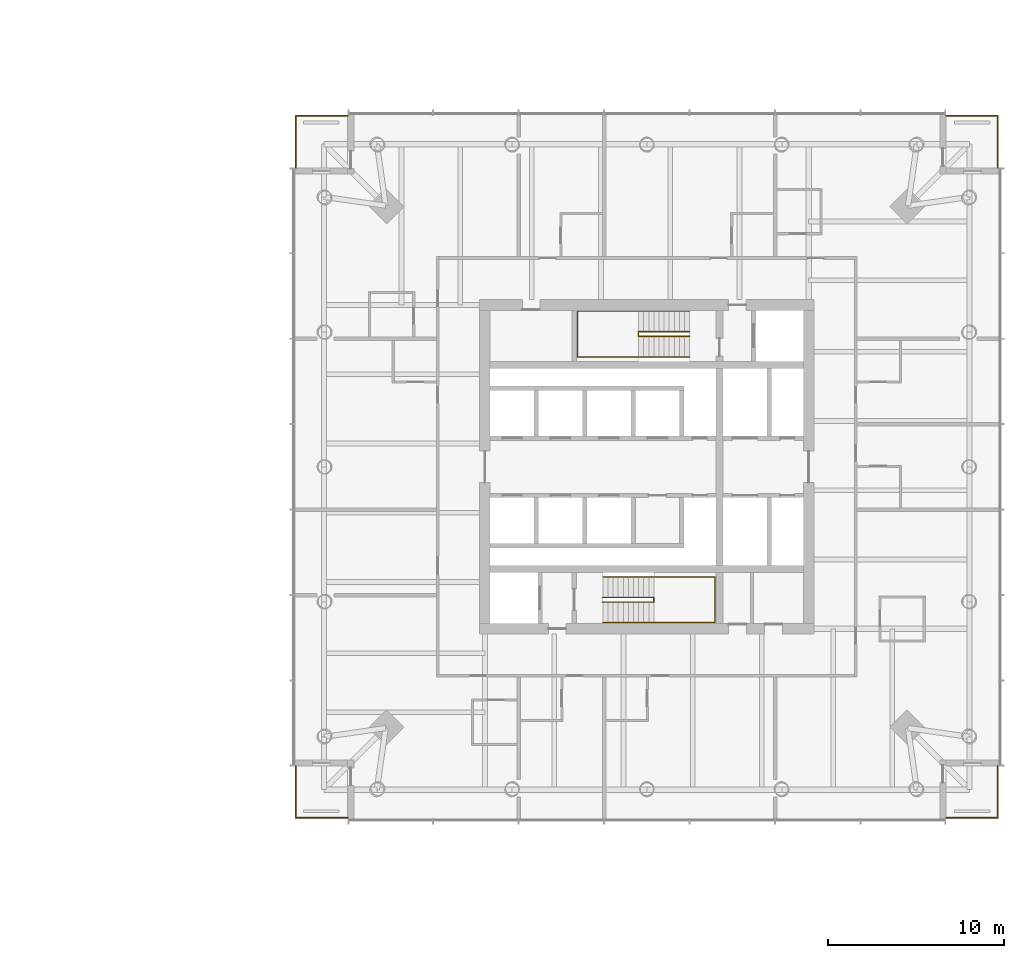
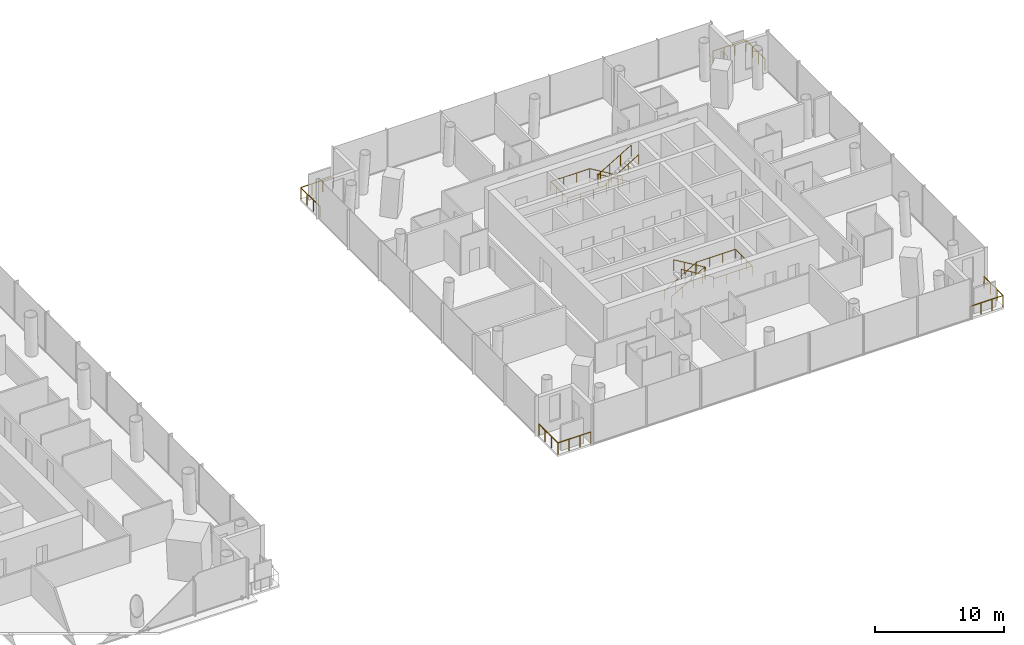
# One storey, part 26 of 26: 8 railings.
"""IFC4 building model written with IfcOpenShell, lengths in metres."""

import ifcopenshell
import ifcopenshell.guid

model = None  # the IFC model being written
_history = None  # IfcOwnerHistory: only IFC2X3 demands one
_inside = {}  # id of a spatial element -> (the spatial element, [elements in it])
_under = {}  # id of a project, library or spatial element -> (it, [spatial elements below it])
_declared = {}  # id of a project -> (the project, [libraries it declares])
_typed = {}  # id of a type object -> (the type object, [elements of that type])
_made_of = {}  # id of a material, layer set ... -> (it, [elements and type objects made of it])


def new_model(schema):
    """Start an empty IFC model of exactly this schema.

    Asked for "IFC4X3", IfcOpenShell would pick the latest addendum, in which some entities
    have other attributes; the version numbers below select the first issue.
    IFC2X3 requires an IfcOwnerHistory on every rooted entity: one is made here for all.
    """
    global model, _history
    if schema == "IFC4X3":
        model = ifcopenshell.file(schema_version=(4, 3, 0, 0))
    else:
        model = ifcopenshell.file(schema=schema)
    _inside.clear()
    _under.clear()
    _declared.clear()
    _typed.clear()
    _made_of.clear()
    _history = None
    if model.schema == "IFC2X3":
        org = make("IfcOrganization", Name="unknown")
        user = make(
            "IfcPersonAndOrganization",
            ThePerson=make("IfcPerson", FamilyName="unknown"),
            TheOrganization=org,
        )
        app = make(
            "IfcApplication",
            ApplicationDeveloper=org,
            Version="unknown",
            ApplicationFullName="unknown",
            ApplicationIdentifier="unknown",
        )
        _history = make(
            "IfcOwnerHistory",
            OwningUser=user,
            OwningApplication=app,
            ChangeAction="ADDED",
            CreationDate=0,
        )
    return model


def make(cls, **values):
    """One entity of the class cls with the attributes given. An attribute that is None is left unset."""
    return model.create_entity(
        cls, **{name: value for name, value in values.items() if value is not None}
    )


def rooted(cls, **values):
    """An entity with a GlobalId (a new one), such as an element, a storey or a relation."""
    return make(cls, GlobalId=ifcopenshell.guid.new(), OwnerHistory=_history, **values)


def si_unit(unit_type, name, prefix=None):
    """IfcSIUnit, for example si_unit("LENGTHUNIT", "METRE", prefix="MILLI")."""
    return make("IfcSIUnit", UnitType=unit_type, Prefix=prefix, Name=name)


def assignment(units):
    """IfcUnitAssignment: the units of a project."""
    return None if units is None else make("IfcUnitAssignment", Units=units)


def point(xyz):
    """IfcCartesianPoint."""
    return None if xyz is None else make("IfcCartesianPoint", Coordinates=xyz)


def direction(xyz):
    """IfcDirection."""
    return None if xyz is None else make("IfcDirection", DirectionRatios=xyz)


def frame(location, z_axis=None, x_axis=None):
    """IfcAxis2Placement3D, a coordinate frame: its origin and axes. An axis left out is left unset."""
    return make(
        "IfcAxis2Placement3D",
        Location=point(location),
        Axis=direction(z_axis),
        RefDirection=direction(x_axis),
    )


def frame_2d(location, x_axis=None):
    """IfcAxis2Placement2D, a coordinate frame in the plane: its origin and x axis."""
    return make(
        "IfcAxis2Placement2D", Location=point(location), RefDirection=direction(x_axis)
    )


def origin():
    """The frame at (0, 0, 0) with its axes left unset."""
    return frame((0.0, 0.0, 0.0))


def origin_2d():
    """The frame at (0, 0) in the plane with its x axis left unset."""
    return frame_2d((0.0, 0.0))


def place(relative_to, where):
    """IfcLocalPlacement: puts the frame where relative to a parent placement (None: the world)."""
    return make(
        "IfcLocalPlacement", PlacementRelTo=relative_to, RelativePlacement=where
    )


def context(
    kind, dimensions, precision=None, world=None, true_north=None, identifier=None
):
    """IfcGeometricRepresentationContext, for example the 3D "Model" context."""
    return make(
        "IfcGeometricRepresentationContext",
        ContextIdentifier=identifier,
        ContextType=kind,
        CoordinateSpaceDimension=dimensions,
        Precision=precision,
        WorldCoordinateSystem=world,
        TrueNorth=true_north,
    )


def subcontext(parent, identifier, kind, view, scale=None):
    """IfcGeometricRepresentationSubContext, for example "Body" below "Model"."""
    return make(
        "IfcGeometricRepresentationSubContext",
        ContextIdentifier=identifier,
        ContextType=kind,
        ParentContext=parent,
        TargetScale=scale,
        TargetView=view,
    )


def project(units=None, contexts=None):
    """IfcProject with its units and contexts."""
    return rooted(
        "IfcProject",
        Name="project",
        RepresentationContexts=contexts,
        UnitsInContext=assignment(units),
    )


def spatial(cls, under=None, at=None, **own):
    """A site, building, storey or space (cls), placed at a placement, below another one or the project."""
    s = rooted(cls, ObjectPlacement=at, **own)
    if under is not None:
        _under.setdefault(under.id(), (under, []))[1].append(s)
    return s


def profile(cls, at=None, kind="AREA", **sizes):
    """A parametric profile (cls). Its sizes go by their IFC names, for example OverallWidth=200.0."""
    return make(cls, ProfileType=kind, Position=at, **sizes)


def circle(**sizes):
    """IfcCircleProfileDef."""
    return profile("IfcCircleProfileDef", **sizes)


def extrude(swept, where, along, depth):
    """IfcExtrudedAreaSolid: the profile swept, set in the frame where, extruded along a direction by depth."""
    return make(
        "IfcExtrudedAreaSolid",
        SweptArea=swept,
        Position=where,
        ExtrudedDirection=direction(along),
        Depth=depth,
    )


def shape(context_of_items, identifier, shape_type, items):
    """IfcShapeRepresentation: the items that make up one representation, for example the "Body"."""
    return make(
        "IfcShapeRepresentation",
        ContextOfItems=context_of_items,
        RepresentationIdentifier=identifier,
        RepresentationType=shape_type,
        Items=items,
    )


def material(Name=None, Category=None):
    """IfcMaterial."""
    return make("IfcMaterial", Name=Name, Category=Category)


def made_of(thing, what):
    """Note that an element or type object is made of a material, layer set ...; save() writes the relation."""
    if what is not None:
        _made_of.setdefault(what.id(), (what, []))[1].append(thing)
    return thing


def type_object(cls, material=None, **own):
    """A type object (cls), such as IfcWallType, which elements share."""
    return made_of(rooted(cls, **own), material)


def element(
    cls,
    number,
    at=None,
    inside=None,
    cuts=None,
    type_object=None,
    material=None,
    context=None,
    identifier="Body",
    shape_type=None,
    held_by="IfcProductDefinitionShape",
    body=None,
    shapes=None,
    **own,
):
    """One element of the class cls, such as IfcWall. Its Tag is "e" and its number.

    at: its placement. inside: the storey or other place that contains it. cuts: it is an
    opening in that element (IfcRelVoidsElement). A single representation is given by context,
    identifier, shape_type and body (its items); several are given by shapes. held_by: the class
    of the entity that holds the representations. save() writes the other relations.
    """
    e = rooted(cls, Tag="e%d" % number, ObjectPlacement=at, **own)
    if body is not None:
        shapes = [shape(context, identifier, shape_type, body)]
    if shapes is not None:
        e.Representation = make(held_by, Representations=shapes)
    if inside is not None:
        _inside.setdefault(inside.id(), (inside, []))[1].append(e)
    if cuts is not None:
        rooted(
            "IfcRelVoidsElement", RelatingBuildingElement=cuts, RelatedOpeningElement=e
        )
    if type_object is not None:
        _typed.setdefault(type_object.id(), (type_object, []))[1].append(e)
    return made_of(e, material)


def aggregate(whole, parts):
    """IfcRelAggregates: a whole, such as a stair, and the parts it consists of."""
    return rooted("IfcRelAggregates", RelatingObject=whole, RelatedObjects=parts)


def save(model, path):
    """Write the relations noted so far, then the file.

    IfcRelAggregates (storeys below a building ...), IfcRelContainedInSpatialStructure (elements
    in a storey), IfcRelDefinesByType, IfcRelAssociatesMaterial and IfcRelDeclares: one each for
    every whole, place, type object, material and project.
    """
    for whole, parts in _under.values():
        aggregate(whole, parts)
    for where, things in _inside.values():
        rooted(
            "IfcRelContainedInSpatialStructure",
            RelatedElements=things,
            RelatingStructure=where,
        )
    for kind, things in _typed.values():
        rooted("IfcRelDefinesByType", RelatedObjects=things, RelatingType=kind)
    for what, things in _made_of.values():
        rooted("IfcRelAssociatesMaterial", RelatedObjects=things, RelatingMaterial=what)
    for by, libraries in _declared.values():
        rooted("IfcRelDeclares", RelatingContext=by, RelatedDefinitions=libraries)
    model.write(path)


model = new_model("IFC4")

# Units and contexts
model_context = context("Model", 3, precision=1e-05, world=origin(), true_north=direction((0.0, 1.0)))
body_context = subcontext(model_context, "Body", "Model", "MODEL_VIEW")
ifc_project = project(units=[si_unit("LENGTHUNIT", "METRE"), si_unit("AREAUNIT", "SQUARE_METRE"), si_unit("VOLUMEUNIT", "CUBIC_METRE"), si_unit("PLANEANGLEUNIT", "RADIAN"), si_unit("MASSUNIT", "GRAM", prefix="KILO")], contexts=[model_context])

# Site, building, storey
site_placement = place(None, origin())
site = spatial("IfcSite", under=ifc_project, at=site_placement, CompositionType="ELEMENT")
building_placement = place(site_placement, origin())
building = spatial("IfcBuilding", under=site, at=building_placement, Name="Ostroluk Exchange", CompositionType="ELEMENT")
storey_placement = place(building_placement, frame((0.0, 0.0, 36.199951171875)))
storey = spatial("IfcBuildingStorey", under=building, at=storey_placement, Name="L08", CompositionType="ELEMENT", Elevation=36.199951171875)

# Railings
ifc_material_1 = material(Name="Stainless steel", Category="steel")
railing_type_1 = type_object("IfcRailingType", Name="Guard 1100 stainless steel", PredefinedType="GUARDRAIL", material=ifc_material_1)
railing_1_placement = place(storey_placement, frame((134.0, 26.050048828125, 0.0)))
element("IfcRailing", 1, at=railing_1_placement, inside=storey, type_object=railing_type_1, Name="Hotel tower SE balcony guard L08", PredefinedType="GUARDRAIL", context=body_context, shape_type="SweptSolid", body=[
    extrude(circle(Radius=0.02392578125, at=origin_2d()), frame((0.0, 0.0, 1.076171875), z_axis=(1.0, 0.0, 0.0), x_axis=(0.0, 1.0, 0.0)), (0.0, 0.0, 1.0), 2.949951171875),
    extrude(circle(Radius=0.02392578125, at=origin_2d()), frame((2.949951171875, 0.0, 1.076171875), z_axis=(0.0, 1.0, 0.0), x_axis=(-1.0, 0.0, 0.0)), (0.0, 0.0, 1.0), 2.949951171875),
    extrude(circle(Radius=0.02099609375, at=origin_2d()), origin(), (0.0, 0.0, 1.0), 1.052001953125),
    extrude(circle(Radius=0.02099609375, at=origin_2d()), frame((0.9833984375, 0.0, 0.0)), (0.0, 0.0, 1.0), 1.052001953125),
    extrude(circle(Radius=0.02099609375, at=origin_2d()), frame((1.966552734375, 0.0, 0.0)), (0.0, 0.0, 1.0), 1.052001953125),
    extrude(circle(Radius=0.02099609375, at=origin_2d()), frame((2.949951171875, 0.0, 0.0)), (0.0, 0.0, 1.0), 1.052001953125),
    extrude(circle(Radius=0.02099609375, at=origin_2d()), frame((2.949951171875, 0.9833984375, 0.0)), (0.0, 0.0, 1.0), 1.052001953125),
    extrude(circle(Radius=0.02099609375, at=origin_2d()), frame((2.949951171875, 1.966552734375, 0.0)), (0.0, 0.0, 1.0), 1.052001953125),
    extrude(circle(Radius=0.02099609375, at=origin_2d()), frame((2.949951171875, 2.949951171875, 0.0)), (0.0, 0.0, 1.0), 1.052001953125),
])
railing_2_placement = place(storey_placement, frame((134.0, 65.949951171875, 0.0)))
element("IfcRailing", 2, at=railing_2_placement, inside=storey, type_object=railing_type_1, Name="Hotel tower NE balcony guard L08", PredefinedType="GUARDRAIL", context=body_context, shape_type="SweptSolid", body=[
    extrude(circle(Radius=0.02392578125, at=origin_2d()), frame((0.0, 0.0, 1.076171875), z_axis=(1.0, 0.0, 0.0), x_axis=(0.0, 1.0, 0.0)), (0.0, 0.0, 1.0), 2.949951171875),
    extrude(circle(Radius=0.02392578125, at=origin_2d()), frame((2.949951171875, 0.0, 1.076171875), z_axis=(0.0, -1.0, 0.0), x_axis=(1.0, 0.0, 0.0)), (0.0, 0.0, 1.0), 2.949951171875),
    extrude(circle(Radius=0.02099609375, at=origin_2d()), origin(), (0.0, 0.0, 1.0), 1.052001953125),
    extrude(circle(Radius=0.02099609375, at=origin_2d()), frame((0.9833984375, 0.0, 0.0)), (0.0, 0.0, 1.0), 1.052001953125),
    extrude(circle(Radius=0.02099609375, at=origin_2d()), frame((1.966552734375, 0.0, 0.0)), (0.0, 0.0, 1.0), 1.052001953125),
    extrude(circle(Radius=0.02099609375, at=origin_2d()), frame((2.949951171875, 0.0, 0.0)), (0.0, 0.0, 1.0), 1.052001953125),
    extrude(circle(Radius=0.02099609375, at=origin_2d()), frame((2.949951171875, -0.9833984375, 0.0)), (0.0, 0.0, 1.0), 1.052001953125),
    extrude(circle(Radius=0.02099609375, at=origin_2d()), frame((2.949951171875, -1.966552734375, 0.0)), (0.0, 0.0, 1.0), 1.052001953125),
    extrude(circle(Radius=0.02099609375, at=origin_2d()), frame((2.949951171875, -2.949951171875, 0.0)), (0.0, 0.0, 1.0), 1.052001953125),
])
railing_3_placement = place(storey_placement, frame((100.0, 65.949951171875, 0.0)))
element("IfcRailing", 3, at=railing_3_placement, inside=storey, type_object=railing_type_1, Name="Hotel tower NW balcony guard L08", PredefinedType="GUARDRAIL", context=body_context, shape_type="SweptSolid", body=[
    extrude(circle(Radius=0.02392578125, at=origin_2d()), frame((0.0, 0.0, 1.076171875), z_axis=(-1.0, 0.0, 0.0), x_axis=(0.0, -1.0, 0.0)), (0.0, 0.0, 1.0), 2.949951171875),
    extrude(circle(Radius=0.02392578125, at=origin_2d()), frame((-2.949951171875, 0.0, 1.076171875), z_axis=(0.0, -1.0, 0.0), x_axis=(1.0, 0.0, 0.0)), (0.0, 0.0, 1.0), 2.949951171875),
    extrude(circle(Radius=0.02099609375, at=origin_2d()), origin(), (0.0, 0.0, 1.0), 1.052001953125),
    extrude(circle(Radius=0.02099609375, at=origin_2d()), frame((-0.9833984375, 0.0, 0.0)), (0.0, 0.0, 1.0), 1.052001953125),
    extrude(circle(Radius=0.02099609375, at=origin_2d()), frame((-1.966552734375, 0.0, 0.0)), (0.0, 0.0, 1.0), 1.052001953125),
    extrude(circle(Radius=0.02099609375, at=origin_2d()), frame((-2.949951171875, 0.0, 0.0)), (0.0, 0.0, 1.0), 1.052001953125),
    extrude(circle(Radius=0.02099609375, at=origin_2d()), frame((-2.949951171875, -0.9833984375, 0.0)), (0.0, 0.0, 1.0), 1.052001953125),
    extrude(circle(Radius=0.02099609375, at=origin_2d()), frame((-2.949951171875, -1.966552734375, 0.0)), (0.0, 0.0, 1.0), 1.052001953125),
    extrude(circle(Radius=0.02099609375, at=origin_2d()), frame((-2.949951171875, -2.949951171875, 0.0)), (0.0, 0.0, 1.0), 1.052001953125),
])
railing_4_placement = place(storey_placement, frame((100.0, 26.050048828125, 0.0)))
element("IfcRailing", 4, at=railing_4_placement, inside=storey, type_object=railing_type_1, Name="Hotel tower SW balcony guard L08", PredefinedType="GUARDRAIL", context=body_context, shape_type="SweptSolid", body=[
    extrude(circle(Radius=0.02392578125, at=origin_2d()), frame((0.0, 0.0, 1.076171875), z_axis=(-1.0, 0.0, 0.0), x_axis=(0.0, -1.0, 0.0)), (0.0, 0.0, 1.0), 2.949951171875),
    extrude(circle(Radius=0.02392578125, at=origin_2d()), frame((-2.949951171875, 0.0, 1.076171875), z_axis=(0.0, 1.0, 0.0), x_axis=(-1.0, 0.0, 0.0)), (0.0, 0.0, 1.0), 2.949951171875),
    extrude(circle(Radius=0.02099609375, at=origin_2d()), origin(), (0.0, 0.0, 1.0), 1.052001953125),
    extrude(circle(Radius=0.02099609375, at=origin_2d()), frame((-0.9833984375, 0.0, 0.0)), (0.0, 0.0, 1.0), 1.052001953125),
    extrude(circle(Radius=0.02099609375, at=origin_2d()), frame((-1.966552734375, 0.0, 0.0)), (0.0, 0.0, 1.0), 1.052001953125),
    extrude(circle(Radius=0.02099609375, at=origin_2d()), frame((-2.949951171875, 0.0, 0.0)), (0.0, 0.0, 1.0), 1.052001953125),
    extrude(circle(Radius=0.02099609375, at=origin_2d()), frame((-2.949951171875, 0.9833984375, 0.0)), (0.0, 0.0, 1.0), 1.052001953125),
    extrude(circle(Radius=0.02099609375, at=origin_2d()), frame((-2.949951171875, 1.966552734375, 0.0)), (0.0, 0.0, 1.0), 1.052001953125),
    extrude(circle(Radius=0.02099609375, at=origin_2d()), frame((-2.949951171875, 2.949951171875, 0.0)), (0.0, 0.0, 1.0), 1.052001953125),
])
ifc_material_2 = material(Name="Steel S355", Category="steel")
railing_type_2 = type_object("IfcRailingType", Name="Stair guard 1100", PredefinedType="GUARDRAIL", material=ifc_material_2)
railing_5_placement = place(storey_placement, frame((114.5, 38.580078125, 0.1728515625)))
element("IfcRailing", 5, at=railing_5_placement, inside=storey, type_object=railing_type_2, Name="Stair T2-S1 guard L08", PredefinedType="GUARDRAIL", context=body_context, shape_type="SweptSolid", body=[
    extrude(circle(Radius=0.02392578125, at=origin_2d()), frame((0.0, 0.0, 1.076171875), z_axis=(0.859141464434, 0.0, 0.511738159696), x_axis=(0.0, 1.0, 0.0)), (0.0, 0.0, 1.0), 3.375244140625),
    extrude(circle(Radius=0.02392578125, at=origin_2d()), frame((2.89990234375, 0.0, 2.80322265625), z_axis=(0.0, -1.0, 0.0), x_axis=(1.0, 0.0, 0.0)), (0.0, 0.0, 1.0), 0.260009765625),
    extrude(circle(Radius=0.02392578125, at=origin_2d()), frame((2.89990234375, -0.260009765625, 2.80322265625), z_axis=(0.0, 0.0, 1.0), x_axis=(1.0, 0.0, 0.0)), (0.0, 0.0, 1.0), 0.172607421875),
    extrude(circle(Radius=0.02392578125, at=origin_2d()), frame((2.89990234375, -0.260009765625, 2.97607421875), z_axis=(-0.859141464434, 0.0, 0.511738159696), x_axis=(0.0, -1.0, 0.0)), (0.0, 0.0, 1.0), 3.375244140625),
    extrude(circle(Radius=0.02099609375, at=origin_2d()), origin(), (0.0, 0.0, 1.0), 1.052001953125),
    extrude(circle(Radius=0.02099609375, at=origin_2d()), frame((0.966552734375, 0.0, 0.57568359375)), (0.0, 0.0, 1.0), 1.052001953125),
    extrude(circle(Radius=0.02099609375, at=origin_2d()), frame((1.933349609375, 0.0, 1.151611328125)), (0.0, 0.0, 1.0), 1.052001953125),
    extrude(circle(Radius=0.02099609375, at=origin_2d()), frame((2.89990234375, 0.0, 1.727294921875)), (0.0, 0.0, 1.0), 1.052001953125),
    extrude(circle(Radius=0.02099609375, at=origin_2d()), frame((2.89990234375, -0.260009765625, 1.727294921875)), (0.0, 0.0, 1.0), 1.052001953125),
    extrude(circle(Radius=0.02099609375, at=origin_2d()), frame((2.89990234375, -0.260009765625, 1.89990234375)), (0.0, 0.0, 1.0), 1.052001953125),
    extrude(circle(Radius=0.02099609375, at=origin_2d()), frame((1.933349609375, -0.260009765625, 2.4755859375)), (0.0, 0.0, 1.0), 1.052001953125),
    extrude(circle(Radius=0.02099609375, at=origin_2d()), frame((0.966552734375, -0.260009765625, 3.051513671875)), (0.0, 0.0, 1.0), 1.052001953125),
    extrude(circle(Radius=0.02099609375, at=origin_2d()), frame((0.0, -0.260009765625, 3.627197265625)), (0.0, 0.0, 1.0), 1.052001953125),
])
railing_6_placement = place(storey_placement, frame((119.429931640625, 53.679931640625, 0.1728515625)))
element("IfcRailing", 6, at=railing_6_placement, inside=storey, type_object=railing_type_2, Name="Stair T2-S2 guard L08", PredefinedType="GUARDRAIL", context=body_context, shape_type="SweptSolid", body=[
    extrude(circle(Radius=0.02392578125, at=origin_2d()), frame((0.0, 0.0, 1.076171875), z_axis=(-0.859141464434, 0.0, 0.511738159696), x_axis=(0.0, -1.0, 0.0)), (0.0, 0.0, 1.0), 3.375244140625),
    extrude(circle(Radius=0.02392578125, at=origin_2d()), frame((-2.89990234375, 0.0, 2.80322265625), z_axis=(0.0, -1.0, 0.0), x_axis=(1.0, 0.0, 0.0)), (0.0, 0.0, 1.0), 0.260009765625),
    extrude(circle(Radius=0.02392578125, at=origin_2d()), frame((-2.89990234375, -0.260009765625, 2.80322265625), z_axis=(0.0, 0.0, 1.0), x_axis=(1.0, 0.0, 0.0)), (0.0, 0.0, 1.0), 0.172607421875),
    extrude(circle(Radius=0.02392578125, at=origin_2d()), frame((-2.89990234375, -0.260009765625, 2.97607421875), z_axis=(0.859141464434, 0.0, 0.511738159696), x_axis=(0.0, 1.0, 0.0)), (0.0, 0.0, 1.0), 3.375244140625),
    extrude(circle(Radius=0.02099609375, at=origin_2d()), origin(), (0.0, 0.0, 1.0), 1.052001953125),
    extrude(circle(Radius=0.02099609375, at=origin_2d()), frame((-0.966552734375, 0.0, 0.57568359375)), (0.0, 0.0, 1.0), 1.052001953125),
    extrude(circle(Radius=0.02099609375, at=origin_2d()), frame((-1.933349609375, 0.0, 1.151611328125)), (0.0, 0.0, 1.0), 1.052001953125),
    extrude(circle(Radius=0.02099609375, at=origin_2d()), frame((-2.89990234375, 0.0, 1.727294921875)), (0.0, 0.0, 1.0), 1.052001953125),
    extrude(circle(Radius=0.02099609375, at=origin_2d()), frame((-2.89990234375, -0.260009765625, 1.727294921875)), (0.0, 0.0, 1.0), 1.052001953125),
    extrude(circle(Radius=0.02099609375, at=origin_2d()), frame((-2.89990234375, -0.260009765625, 1.89990234375)), (0.0, 0.0, 1.0), 1.052001953125),
    extrude(circle(Radius=0.02099609375, at=origin_2d()), frame((-1.933349609375, -0.260009765625, 2.4755859375)), (0.0, 0.0, 1.0), 1.052001953125),
    extrude(circle(Radius=0.02099609375, at=origin_2d()), frame((-0.966552734375, -0.260009765625, 3.051513671875)), (0.0, 0.0, 1.0), 1.052001953125),
    extrude(circle(Radius=0.02099609375, at=origin_2d()), frame((0.0, -0.260009765625, 3.627197265625)), (0.0, 0.0, 1.0), 1.052001953125),
])
ifc_material_3 = material(Name="Stainless steel", Category="steel")
railing_type_3 = type_object("IfcRailingType", Name="Stair handrail 900", PredefinedType="HANDRAIL", material=ifc_material_3)
railing_7_placement = place(storey_placement, frame((114.5, 39.75, 0.1728515625)))
element("IfcRailing", 7, at=railing_7_placement, inside=storey, type_object=railing_type_3, Name="Stair T2-S1 handrail L08", PredefinedType="HANDRAIL", context=body_context, shape_type="SweptSolid", body=[
    extrude(circle(Radius=0.02392578125, at=origin_2d()), frame((0.0, 0.0, 0.8759765625), z_axis=(0.859141464434, 0.0, 0.511738159696), x_axis=(0.0, 1.0, 0.0)), (0.0, 0.0, 1.0), 3.375244140625),
    extrude(circle(Radius=0.02392578125, at=origin_2d()), frame((2.89990234375, 0.0, 2.60302734375), z_axis=(1.0, 0.0, 0.0), x_axis=(0.0, 1.0, 0.0)), (0.0, 0.0, 1.0), 3.47998046875),
    extrude(circle(Radius=0.02392578125, at=origin_2d()), frame((6.3798828125, 0.0, 2.60302734375), z_axis=(0.0, -1.0, 0.0), x_axis=(1.0, 0.0, 0.0)), (0.0, 0.0, 1.0), 2.60009765625),
    extrude(circle(Radius=0.02392578125, at=origin_2d()), frame((6.3798828125, -2.60009765625, 2.60302734375), z_axis=(-1.0, 0.0, 0.0), x_axis=(0.0, -1.0, 0.0)), (0.0, 0.0, 1.0), 3.47998046875),
    extrude(circle(Radius=0.02392578125, at=origin_2d()), frame((2.89990234375, -2.60009765625, 2.60302734375), z_axis=(0.0, 0.0, 1.0), x_axis=(1.0, 0.0, 0.0)), (0.0, 0.0, 1.0), 0.172607421875),
    extrude(circle(Radius=0.02392578125, at=origin_2d()), frame((2.89990234375, -2.60009765625, 2.77587890625), z_axis=(-0.859141464434, 0.0, 0.511738159696), x_axis=(0.0, -1.0, 0.0)), (0.0, 0.0, 1.0), 3.375244140625),
    extrude(circle(Radius=0.02099609375, at=origin_2d()), origin(), (0.0, 0.0, 1.0), 0.851806640625),
    extrude(circle(Radius=0.02099609375, at=origin_2d()), frame((0.966552734375, 0.0, 0.57568359375)), (0.0, 0.0, 1.0), 0.851806640625),
    extrude(circle(Radius=0.02099609375, at=origin_2d()), frame((1.933349609375, 0.0, 1.151611328125)), (0.0, 0.0, 1.0), 0.851806640625),
    extrude(circle(Radius=0.02099609375, at=origin_2d()), frame((2.89990234375, 0.0, 1.727294921875)), (0.0, 0.0, 1.0), 0.851806640625),
    extrude(circle(Radius=0.02099609375, at=origin_2d()), frame((4.059814453125, 0.0, 1.727294921875)), (0.0, 0.0, 1.0), 0.851806640625),
    extrude(circle(Radius=0.02099609375, at=origin_2d()), frame((5.219970703125, 0.0, 1.727294921875)), (0.0, 0.0, 1.0), 0.851806640625),
    extrude(circle(Radius=0.02099609375, at=origin_2d()), frame((6.3798828125, 0.0, 1.727294921875)), (0.0, 0.0, 1.0), 0.851806640625),
    extrude(circle(Radius=0.02099609375, at=origin_2d()), frame((6.3798828125, -0.86669921875, 1.727294921875)), (0.0, 0.0, 1.0), 0.851806640625),
    extrude(circle(Radius=0.02099609375, at=origin_2d()), frame((6.3798828125, -1.7333984375, 1.727294921875)), (0.0, 0.0, 1.0), 0.851806640625),
    extrude(circle(Radius=0.02099609375, at=origin_2d()), frame((6.3798828125, -2.60009765625, 1.727294921875)), (0.0, 0.0, 1.0), 0.851806640625),
    extrude(circle(Radius=0.02099609375, at=origin_2d()), frame((5.219970703125, -2.60009765625, 1.727294921875)), (0.0, 0.0, 1.0), 0.851806640625),
    extrude(circle(Radius=0.02099609375, at=origin_2d()), frame((4.059814453125, -2.60009765625, 1.727294921875)), (0.0, 0.0, 1.0), 0.851806640625),
    extrude(circle(Radius=0.02099609375, at=origin_2d()), frame((2.89990234375, -2.60009765625, 1.727294921875)), (0.0, 0.0, 1.0), 0.851806640625),
    extrude(circle(Radius=0.02099609375, at=origin_2d()), frame((2.89990234375, -2.60009765625, 1.89990234375)), (0.0, 0.0, 1.0), 0.851806640625),
    extrude(circle(Radius=0.02099609375, at=origin_2d()), frame((1.933349609375, -2.60009765625, 2.4755859375)), (0.0, 0.0, 1.0), 0.851806640625),
    extrude(circle(Radius=0.02099609375, at=origin_2d()), frame((0.966552734375, -2.60009765625, 3.051513671875)), (0.0, 0.0, 1.0), 0.851806640625),
    extrude(circle(Radius=0.02099609375, at=origin_2d()), frame((0.0, -2.60009765625, 3.627197265625)), (0.0, 0.0, 1.0), 0.851806640625),
])
railing_8_placement = place(storey_placement, frame((119.429931640625, 54.85009765625, 0.1728515625)))
element("IfcRailing", 8, at=railing_8_placement, inside=storey, type_object=railing_type_3, Name="Stair T2-S2 handrail L08", PredefinedType="HANDRAIL", context=body_context, shape_type="SweptSolid", body=[
    extrude(circle(Radius=0.02392578125, at=origin_2d()), frame((0.0, 0.0, 0.8759765625), z_axis=(-0.859141464434, 0.0, 0.511738159696), x_axis=(0.0, -1.0, 0.0)), (0.0, 0.0, 1.0), 3.375244140625),
    extrude(circle(Radius=0.02392578125, at=origin_2d()), frame((-2.89990234375, 0.0, 2.60302734375), z_axis=(-1.0, 0.0, 0.0), x_axis=(0.0, -1.0, 0.0)), (0.0, 0.0, 1.0), 3.47998046875),
    extrude(circle(Radius=0.02392578125, at=origin_2d()), frame((-6.3798828125, 0.0, 2.60302734375), z_axis=(0.0, -1.0, 0.0), x_axis=(1.0, 0.0, 0.0)), (0.0, 0.0, 1.0), 2.60009765625),
    extrude(circle(Radius=0.02392578125, at=origin_2d()), frame((-6.3798828125, -2.60009765625, 2.60302734375), z_axis=(1.0, 0.0, 0.0), x_axis=(0.0, 1.0, 0.0)), (0.0, 0.0, 1.0), 3.47998046875),
    extrude(circle(Radius=0.02392578125, at=origin_2d()), frame((-2.89990234375, -2.60009765625, 2.60302734375), z_axis=(0.0, 0.0, 1.0), x_axis=(1.0, 0.0, 0.0)), (0.0, 0.0, 1.0), 0.172607421875),
    extrude(circle(Radius=0.02392578125, at=origin_2d()), frame((-2.89990234375, -2.60009765625, 2.77587890625), z_axis=(0.859141464434, 0.0, 0.511738159696), x_axis=(0.0, 1.0, 0.0)), (0.0, 0.0, 1.0), 3.375244140625),
    extrude(circle(Radius=0.02099609375, at=origin_2d()), origin(), (0.0, 0.0, 1.0), 0.851806640625),
    extrude(circle(Radius=0.02099609375, at=origin_2d()), frame((-0.966552734375, 0.0, 0.57568359375)), (0.0, 0.0, 1.0), 0.851806640625),
    extrude(circle(Radius=0.02099609375, at=origin_2d()), frame((-1.933349609375, 0.0, 1.151611328125)), (0.0, 0.0, 1.0), 0.851806640625),
    extrude(circle(Radius=0.02099609375, at=origin_2d()), frame((-2.89990234375, 0.0, 1.727294921875)), (0.0, 0.0, 1.0), 0.851806640625),
    extrude(circle(Radius=0.02099609375, at=origin_2d()), frame((-4.059814453125, 0.0, 1.727294921875)), (0.0, 0.0, 1.0), 0.851806640625),
    extrude(circle(Radius=0.02099609375, at=origin_2d()), frame((-5.219970703125, 0.0, 1.727294921875)), (0.0, 0.0, 1.0), 0.851806640625),
    extrude(circle(Radius=0.02099609375, at=origin_2d()), frame((-6.3798828125, 0.0, 1.727294921875)), (0.0, 0.0, 1.0), 0.851806640625),
    extrude(circle(Radius=0.02099609375, at=origin_2d()), frame((-6.3798828125, -0.86669921875, 1.727294921875)), (0.0, 0.0, 1.0), 0.851806640625),
    extrude(circle(Radius=0.02099609375, at=origin_2d()), frame((-6.3798828125, -1.7333984375, 1.727294921875)), (0.0, 0.0, 1.0), 0.851806640625),
    extrude(circle(Radius=0.02099609375, at=origin_2d()), frame((-6.3798828125, -2.60009765625, 1.727294921875)), (0.0, 0.0, 1.0), 0.851806640625),
    extrude(circle(Radius=0.02099609375, at=origin_2d()), frame((-5.219970703125, -2.60009765625, 1.727294921875)), (0.0, 0.0, 1.0), 0.851806640625),
    extrude(circle(Radius=0.02099609375, at=origin_2d()), frame((-4.059814453125, -2.60009765625, 1.727294921875)), (0.0, 0.0, 1.0), 0.851806640625),
    extrude(circle(Radius=0.02099609375, at=origin_2d()), frame((-2.89990234375, -2.60009765625, 1.727294921875)), (0.0, 0.0, 1.0), 0.851806640625),
    extrude(circle(Radius=0.02099609375, at=origin_2d()), frame((-2.89990234375, -2.60009765625, 1.89990234375)), (0.0, 0.0, 1.0), 0.851806640625),
    extrude(circle(Radius=0.02099609375, at=origin_2d()), frame((-1.933349609375, -2.60009765625, 2.4755859375)), (0.0, 0.0, 1.0), 0.851806640625),
    extrude(circle(Radius=0.02099609375, at=origin_2d()), frame((-0.966552734375, -2.60009765625, 3.051513671875)), (0.0, 0.0, 1.0), 0.851806640625),
    extrude(circle(Radius=0.02099609375, at=origin_2d()), frame((0.0, -2.60009765625, 3.627197265625)), (0.0, 0.0, 1.0), 0.851806640625),
])

save(model, "model.ifc")
